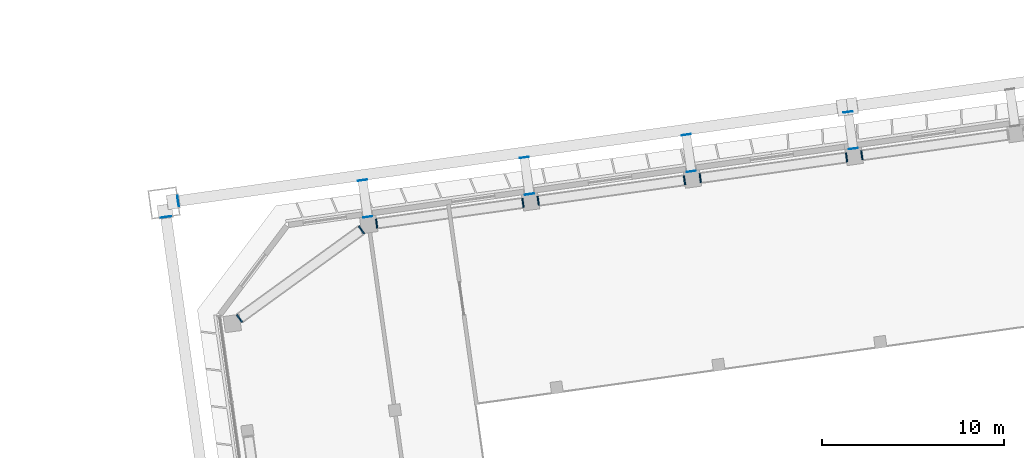
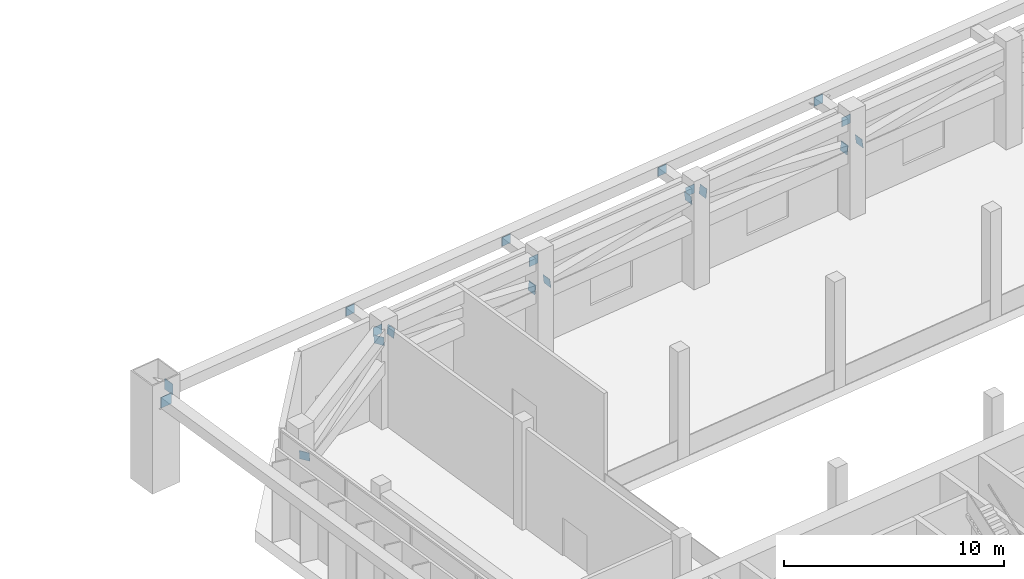
# One storey, part 37 of 41: 19 discrete accessories.
"""IFC4 building model written with IfcOpenShell, lengths in metres."""

from ifc_helpers import new_model, si_unit, direction, frame, origin, origin_2d, place, context, subcontext, project, spatial, rectangle, extrude, material, material_profile, profile_set, type_object, element, save


model = new_model("IFC4")

# Units and contexts
model_context = context("Model", 3, precision=1e-05, world=origin(), true_north=direction((0.0, 1.0)))
body_context = subcontext(model_context, "Body", "Model", "MODEL_VIEW")
ifc_project = project(units=[si_unit("LENGTHUNIT", "METRE"), si_unit("AREAUNIT", "SQUARE_METRE"), si_unit("VOLUMEUNIT", "CUBIC_METRE"), si_unit("PLANEANGLEUNIT", "RADIAN"), si_unit("MASSUNIT", "GRAM", prefix="KILO")], contexts=[model_context])

# Site, building, storey
site_placement = place(None, origin())
site = spatial("IfcSite", under=ifc_project, at=site_placement, CompositionType="ELEMENT")
building_placement = place(site_placement, origin())
building = spatial("IfcBuilding", under=site, at=building_placement, Name="Mirante Cascada Hotel Towers", CompositionType="ELEMENT")
storey_placement = place(building_placement, frame((0.0, 0.0, 92.7)))
storey = spatial("IfcBuildingStorey", under=building, at=storey_placement, Name="L20", CompositionType="ELEMENT", Elevation=92.7)

# Discrete accessories
ifc_material_1 = material(Name="Steel ASTM A572 Gr 50", Category="steel")
ifc_material_profile_1 = material_profile(ifc_material_1, rectangle(XDim=0.5, YDim=0.5, at=origin_2d()), Name="Connection plate 500x500x25 ASTM A572 Gr 50")
ifc_profile_set_1 = profile_set([ifc_material_profile_1], Name="Steel ASTM A572 Gr 50")
discrete_accessory_type_1 = type_object("IfcDiscreteAccessoryType", Name="Connection plate 500x500x25 ASTM A572 Gr 50", PredefinedType="BRACKET", material=ifc_profile_set_1)
for number, where, z_axis, x_axis, name in (
    (1, (29.2439, 12.1561, 3.7484), (0.8029021, 0.582104, 0.1284643), (-0.5869676, 0.8096104, 0.0), "Connection plate BT20D"),
    (2, (35.9663, 17.0304, 4.8484), (0.8029021, 0.582104, 0.1284643), (-0.5869676, 0.8096104, 0.0), "Connection plate BT20D"),
):
    element("IfcDiscreteAccessory", number, at=place(storey_placement, frame(where, z_axis=z_axis, x_axis=x_axis)), inside=storey, type_object=discrete_accessory_type_1, Name=name, PredefinedType="BRACKET", context=body_context, shape_type="SweptSolid", body=[
        extrude(rectangle(XDim=0.5, YDim=0.5, at=origin_2d()), origin(), (0.0, 0.0, 1.0), 0.0249),
    ])
discrete_accessory_1_placement = place(storey_placement, frame((36.7861, 17.3831, 4.8517), z_axis=(0.9812804, 0.1361777, -0.1361777), x_axis=(-0.1374582, 0.9905076, 0.0)))
element("IfcDiscreteAccessory", 3, at=discrete_accessory_1_placement, inside=storey, type_object=discrete_accessory_type_1, Name="Connection plate BT20D", PredefinedType="BRACKET", context=body_context, shape_type="SweptSolid", body=[
    extrude(rectangle(XDim=0.5, YDim=0.5, at=origin_2d()), origin(), (0.0, 0.0, 1.0), 0.025),
])
discrete_accessory_2_placement = place(storey_placement, frame((44.8468, 18.5159, 3.7517), z_axis=(0.9808896, 0.1395575, -0.1355701), x_axis=(-0.1408579, 0.9900298, 0.0)))
element("IfcDiscreteAccessory", 4, at=discrete_accessory_2_placement, inside=storey, type_object=discrete_accessory_type_1, Name="Connection plate BT20D", PredefinedType="BRACKET", context=body_context, shape_type="SweptSolid", body=[
    extrude(rectangle(XDim=0.5, YDim=0.5, at=origin_2d()), origin(), (0.0, 0.0, 1.0), 0.0251),
])
discrete_accessory_3_placement = place(storey_placement, frame((45.6985, 18.6356, 3.7483), z_axis=(0.9807378, 0.1401054, 0.1361024), x_axis=(-0.1414214, 0.9899495, 0.0)))
element("IfcDiscreteAccessory", 5, at=discrete_accessory_3_placement, inside=storey, type_object=discrete_accessory_type_1, Name="Connection plate BT20D", PredefinedType="BRACKET", context=body_context, shape_type="SweptSolid", body=[
    extrude(rectangle(XDim=0.5, YDim=0.5, at=origin_2d()), origin(), (0.0, 0.0, 1.0), 0.025),
])
discrete_accessory_4_placement = place(storey_placement, frame((53.7592, 19.7685, 4.8483), z_axis=(0.9814281, 0.1356445, 0.1356445), x_axis=(-0.1369099, 0.9905835, 0.0)))
element("IfcDiscreteAccessory", 6, at=discrete_accessory_4_placement, inside=storey, type_object=discrete_accessory_type_1, Name="Connection plate BT20D", PredefinedType="BRACKET", context=body_context, shape_type="SweptSolid", body=[
    extrude(rectangle(XDim=0.5, YDim=0.5, at=origin_2d()), origin(), (0.0, 0.0, 1.0), 0.0251),
])
for number, where, z_axis, x_axis, name in (
    (7, (54.6109, 19.8882, 4.8517), (0.9812804, 0.1361777, -0.1361777), (-0.1374582, 0.9905076, 0.0), "Connection plate BT20D"),
    (8, (62.6717, 21.0211, 3.7517), (0.9812804, 0.1361777, -0.1361777), (-0.1374582, 0.9905076, 0.0), "Connection plate BT20D"),
    (9, (63.5233, 21.1407, 3.7483), (0.9807378, 0.1401054, 0.1361024), (-0.1414214, 0.9899495, 0.0), "Connection plate BT20D"),
):
    element("IfcDiscreteAccessory", number, at=place(storey_placement, frame(where, z_axis=z_axis, x_axis=x_axis)), inside=storey, type_object=discrete_accessory_type_1, Name=name, PredefinedType="BRACKET", context=body_context, shape_type="SweptSolid", body=[
        extrude(rectangle(XDim=0.5, YDim=0.5, at=origin_2d()), origin(), (0.0, 0.0, 1.0), 0.025),
    ])
discrete_accessory_5_placement = place(storey_placement, frame((36.3144, 17.7384, 4.85), z_axis=(-0.1402989, 0.9901092, 0.0), x_axis=(-0.9901092, -0.1402989, 0.0)))
element("IfcDiscreteAccessory", 10, at=discrete_accessory_5_placement, inside=storey, type_object=discrete_accessory_type_1, Name="Connection plate TIE", PredefinedType="BRACKET", context=body_context, shape_type="SweptSolid", body=[
    extrude(rectangle(XDim=0.5, YDim=0.5, at=origin_2d()), origin(), (0.0, 0.0, 1.0), 0.0249),
])
for number, where, z_axis, x_axis, name in (
    (11, (36.0305, 19.7585, 4.85), (-0.1397442, 0.9901876, 0.0), (-0.9901876, -0.1397442, 0.0), "Connection plate TIE"),
    (12, (45.2268, 18.9909, 4.85), (-0.1397442, 0.9901876, 0.0), (-0.9901876, -0.1397442, 0.0), "Connection plate TIE"),
):
    element("IfcDiscreteAccessory", number, at=place(storey_placement, frame(where, z_axis=z_axis, x_axis=x_axis)), inside=storey, type_object=discrete_accessory_type_1, Name=name, PredefinedType="BRACKET", context=body_context, shape_type="SweptSolid", body=[
        extrude(rectangle(XDim=0.5, YDim=0.5, at=origin_2d()), origin(), (0.0, 0.0, 1.0), 0.025),
    ])
discrete_accessory_6_placement = place(storey_placement, frame((44.9429, 21.0111, 4.85), z_axis=(-0.1402989, 0.9901092, 0.0), x_axis=(-0.9901092, -0.1402989, 0.0)))
element("IfcDiscreteAccessory", 13, at=discrete_accessory_6_placement, inside=storey, type_object=discrete_accessory_type_1, Name="Connection plate TIE", PredefinedType="BRACKET", context=body_context, shape_type="SweptSolid", body=[
    extrude(rectangle(XDim=0.5, YDim=0.5, at=origin_2d()), origin(), (0.0, 0.0, 1.0), 0.0249),
])
for number, where, z_axis, x_axis, name in (
    (14, (54.1392, 20.2435, 4.85), (-0.1397442, 0.9901876, 0.0), (-0.9901876, -0.1397442, 0.0), "Connection plate TIE"),
    (15, (53.8553, 22.2636, 4.85), (-0.1397442, 0.9901876, 0.0), (-0.9901876, -0.1397442, 0.0), "Connection plate TIE"),
):
    element("IfcDiscreteAccessory", number, at=place(storey_placement, frame(where, z_axis=z_axis, x_axis=x_axis)), inside=storey, type_object=discrete_accessory_type_1, Name=name, PredefinedType="BRACKET", context=body_context, shape_type="SweptSolid", body=[
        extrude(rectangle(XDim=0.5, YDim=0.5, at=origin_2d()), origin(), (0.0, 0.0, 1.0), 0.025),
    ])
discrete_accessory_7_placement = place(storey_placement, frame((63.0516, 21.4961, 4.85), z_axis=(-0.136366, 0.9906585, 0.0), x_axis=(-0.9906585, -0.136366, 0.0)))
element("IfcDiscreteAccessory", 16, at=discrete_accessory_7_placement, inside=storey, type_object=discrete_accessory_type_1, Name="Connection plate TIE", PredefinedType="BRACKET", context=body_context, shape_type="SweptSolid", body=[
    extrude(rectangle(XDim=0.5, YDim=0.5, at=origin_2d()), origin(), (0.0, 0.0, 1.0), 0.0249),
])
discrete_accessory_8_placement = place(storey_placement, frame((62.7677, 23.5162, 4.85), z_axis=(-0.1397442, 0.9901876, 0.0), x_axis=(-0.9901876, -0.1397442, 0.0)))
element("IfcDiscreteAccessory", 17, at=discrete_accessory_8_placement, inside=storey, type_object=discrete_accessory_type_1, Name="Connection plate TIE", PredefinedType="BRACKET", context=body_context, shape_type="SweptSolid", body=[
    extrude(rectangle(XDim=0.5, YDim=0.5, at=origin_2d()), origin(), (0.0, 0.0, 1.0), 0.025),
])
ifc_material_2 = material(Name="Steel ASTM A572 Gr 50", Category="steel")
ifc_material_profile_2 = material_profile(ifc_material_2, rectangle(XDim=0.6, YDim=0.6, at=origin_2d()), Name="Connection plate 600x600x25 ASTM A572 Gr 50")
ifc_profile_set_2 = profile_set([ifc_material_profile_2], Name="Steel ASTM A572 Gr 50")
discrete_accessory_type_2 = type_object("IfcDiscreteAccessoryType", Name="Connection plate 600x600x25 ASTM A572 Gr 50", PredefinedType="BRACKET", material=ifc_profile_set_2)
discrete_accessory_9_placement = place(storey_placement, frame((25.8569, 18.6241, 4.85), z_axis=(0.9901092, 0.1402989, 0.0), x_axis=(-0.1402989, 0.9901092, 0.0)))
element("IfcDiscreteAccessory", 18, at=discrete_accessory_9_placement, inside=storey, type_object=discrete_accessory_type_2, Name="Connection plate NCH", PredefinedType="BRACKET", context=body_context, shape_type="SweptSolid", body=[
    extrude(rectangle(XDim=0.6, YDim=0.6, at=origin_2d()), origin(), (0.0, 0.0, 1.0), 0.0249),
])
discrete_accessory_10_placement = place(storey_placement, frame((25.2071, 17.7325, 4.85), z_axis=(-0.1397442, 0.9901876, 0.0), x_axis=(-0.9901876, -0.1397442, 0.0)))
element("IfcDiscreteAccessory", 19, at=discrete_accessory_10_placement, inside=storey, type_object=discrete_accessory_type_2, Name="Connection plate NCH", PredefinedType="BRACKET", context=body_context, shape_type="SweptSolid", body=[
    extrude(rectangle(XDim=0.6, YDim=0.6, at=origin_2d()), origin(), (0.0, 0.0, 1.0), 0.025),
])

save(model, "model.ifc")
